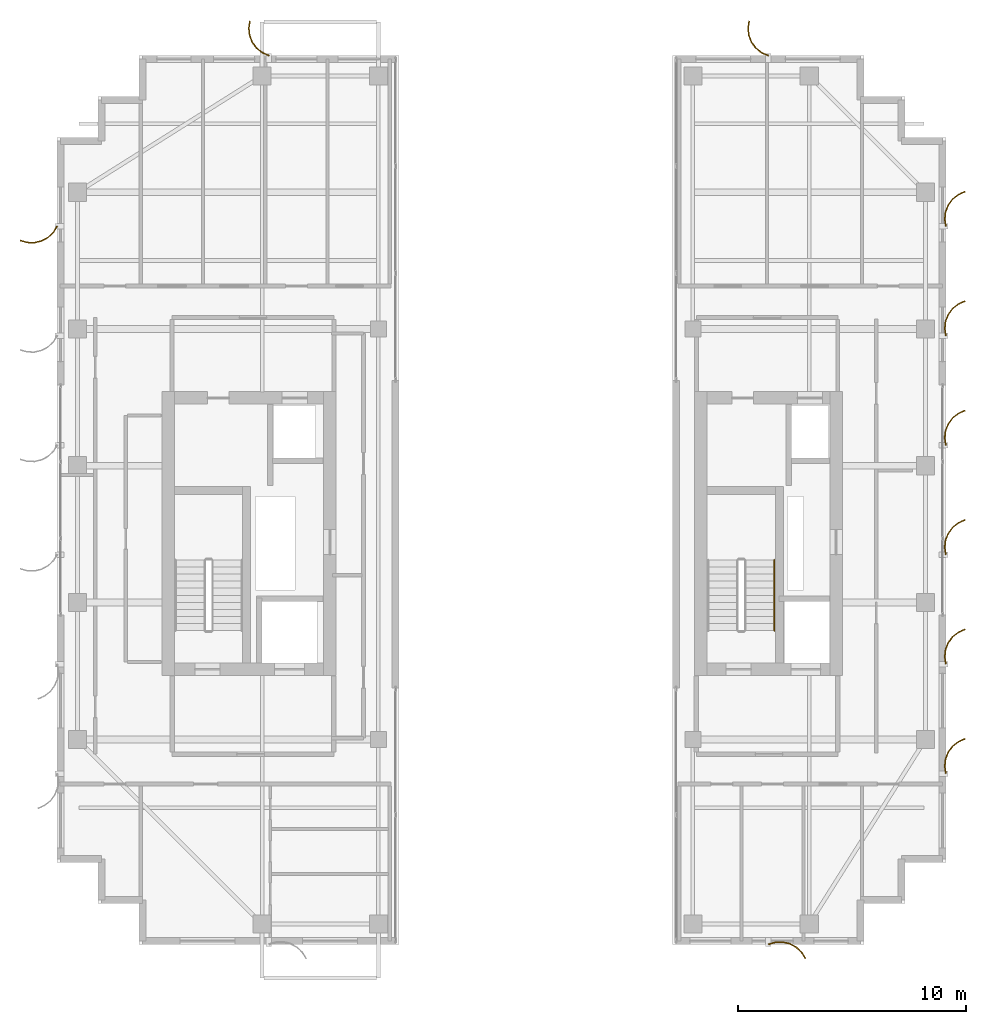
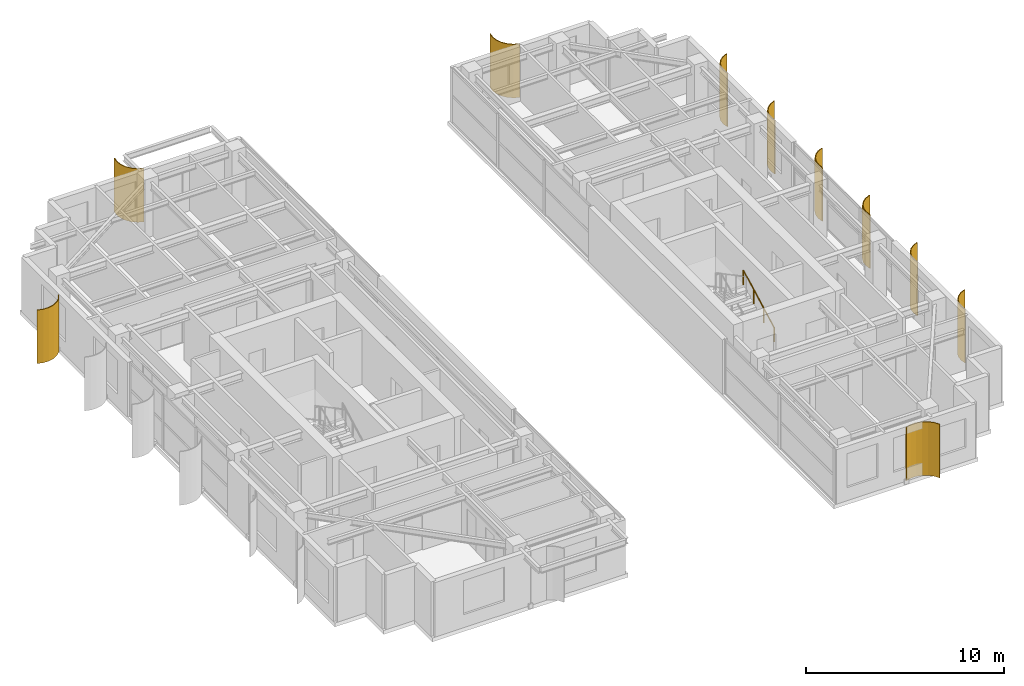
# One storey, part 22 of 22: 10 shading devices, 1 railing.
"""IFC4 building model written with IfcOpenShell, lengths in metres."""

from ifc_helpers import new_model, si_unit, direction, frame, origin, origin_2d, place, context, subcontext, project, spatial, polyline, circle, outline, extrude, source, transform, mapped, material, layer, layer_set, type_object, element, save


model = new_model("IFC4")

# Units and contexts
model_context = context("Model", 3, precision=1e-05, world=origin(), true_north=direction((0.0, 1.0)))
body_context = subcontext(model_context, "Body", "Model", "MODEL_VIEW")
ifc_project = project(units=[si_unit("LENGTHUNIT", "METRE"), si_unit("AREAUNIT", "SQUARE_METRE"), si_unit("VOLUMEUNIT", "CUBIC_METRE"), si_unit("PLANEANGLEUNIT", "RADIAN"), si_unit("MASSUNIT", "GRAM", prefix="KILO")], contexts=[model_context])

# Site, building, storey
site_placement = place(None, origin())
site = spatial("IfcSite", under=ifc_project, at=site_placement, CompositionType="ELEMENT")
building_placement = place(site_placement, origin())
building = spatial("IfcBuilding", under=site, at=building_placement, Name="Khoralis Quay Care Tower", CompositionType="ELEMENT")
storey_placement = place(building_placement, frame((0.0, 0.0, 242.10009765625)))
storey = spatial("IfcBuildingStorey", under=building, at=storey_placement, Name="L63", CompositionType="ELEMENT", Elevation=242.10009765625)

# Railing
ifc_material_1 = material(Name="Brushed stainless steel", Category="steel")
railing_type = type_object("IfcRailingType", Name="RL-HAND-900", PredefinedType="HANDRAIL", material=ifc_material_1)
railing_placement = place(storey_placement, frame((34.469970703125, 16.77001953125, 0.16357421875)))
element("IfcRailing", 1, at=railing_placement, inside=storey, type_object=railing_type, Name="L63 ST-T2 stair handrail 1", PredefinedType="HANDRAIL", context=body_context, shape_type="SweptSolid", body=[
    extrude(circle(Radius=0.02392578125, at=origin_2d()), frame((0.0, 0.0, 0.8759765625), z_axis=(0.0, 0.884376766648, 0.46677375099), x_axis=(-1.0, 0.0, 0.0)), (0.0, 0.0, 1.0), 3.50537109375),
    extrude(circle(Radius=0.02099609375, at=origin_2d()), origin(), (0.0, 0.0, 1.0), 0.851806640625),
    extrude(circle(Radius=0.02099609375, at=origin_2d()), frame((0.0, 1.033447265625, 0.54541015625)), (0.0, 0.0, 1.0), 0.851806640625),
    extrude(circle(Radius=0.02099609375, at=origin_2d()), frame((0.0, 2.066650390625, 1.0908203125)), (0.0, 0.0, 1.0), 0.851806640625),
    extrude(circle(Radius=0.02099609375, at=origin_2d()), frame((0.0, 3.10009765625, 1.63623046875)), (0.0, 0.0, 1.0), 0.851806640625),
])

# Shading devices
ifc_material_2 = material(Name="Brushed pale anodised aluminium", Category="aluminium")
ifc_layer = layer(ifc_material_2, 0.044921875)
ifc_layer_set = layer_set([ifc_layer], Name="Brushed pale anodised aluminium")
shading_device_type = type_object("IfcShadingDeviceType", Name="SHD-FIN-1250", PredefinedType="USERDEFINED", material=ifc_layer_set)
shared_shape_1 = source(origin(), body_context, "Body", "SweptSolid", [
    extrude(outline(polyline([(0.0, 0.0), (-0.0927734375, 0.31298828125), (-0.101318359375, 0.63916015625), (-0.025146484375, 0.956298828125), (0.130615234375, 1.2431640625), (0.355224609375, 1.479736328125), (0.633544921875, 1.650390625), (0.65185546875, 1.609130859375), (0.383544921875, 1.44482421875), (0.1669921875, 1.216796875), (0.01708984375, 0.940185546875), (-0.056396484375, 0.63427734375), (-0.04833984375, 0.31982421875), (0.041015625, 0.018310546875), (0.0, 0.0)])), origin(), (0.0, 0.0, 1.0), 3.2998046875),
])
shading_device_1_placement = place(storey_placement, frame((34.199951171875, 3.030029296875, 0.02001953125), z_axis=(0.0, 0.0, 1.0), x_axis=(0.0, -1.0, 0.0)))
element("IfcShadingDevice", 2, at=shading_device_1_placement, inside=storey, type_object=shading_device_type, Name="L63 Curved Solar Fin P2E0-01", ObjectType="FIN", PredefinedType="USERDEFINED", context=body_context, shape_type="MappedRepresentation", body=[
    mapped(shared_shape_1, transform((0.0, 0.0, 0.0), scale=1.0)),
])
shared_shape_2 = source(origin(), body_context, "Body", "SweptSolid", [
    extrude(outline(polyline([(0.0, 0.0), (0.130126953125, 0.29931640625), (0.333251953125, 0.5546875), (0.595458984375, 0.748779296875), (0.899169921875, 0.868408203125), (1.223388671875, 0.9052734375), (1.546142578125, 0.85693359375), (1.53369140625, 0.813720703125), (1.22265625, 0.8603515625), (0.91015625, 0.82470703125), (0.617431640625, 0.70947265625), (0.364501953125, 0.522216796875), (0.168701171875, 0.276123046875), (0.043212890625, -0.012451171875), (0.0, 0.0)])), origin(), (0.0, 0.0, 1.0), 3.2998046875),
])
for number, where, z_axis, x_axis, name in (
    (3, (12.300048828125, 41.969970703125, 0.02001953125), (0.0, 0.0, 1.0), (0.0, 1.0, 0.0), "L63 Curved Solar Fin P1E2-01"),
    (4, (34.199951171875, 41.969970703125, 0.02001953125), (0.0, 0.0, 1.0), (0.0, 1.0, 0.0), "L63 Curved Solar Fin P2E10-01"),
):
    element("IfcShadingDevice", number, at=place(storey_placement, frame(where, z_axis=z_axis, x_axis=x_axis)), inside=storey, type_object=shading_device_type, Name=name, ObjectType="FIN", PredefinedType="USERDEFINED", context=body_context, shape_type="MappedRepresentation", body=[
        mapped(shared_shape_2, transform((0.0, 0.0, 0.0), scale=1.0)),
    ])
shared_shape_3 = source(origin(), body_context, "Body", "SweptSolid", [
    extrude(outline(polyline([(0.0, 0.0), (0.17041015625, 0.2783203125), (0.4072265625, 0.5029296875), (0.694091796875, 0.658447265625), (1.01123046875, 0.734619140625), (1.33740234375, 0.72607421875), (1.650390625, 0.633544921875), (1.632080078125, 0.59228515625), (1.330322265625, 0.681640625), (1.015869140625, 0.68994140625), (0.710205078125, 0.616455078125), (0.43359375, 0.466552734375), (0.20556640625, 0.25), (0.041015625, -0.018310546875), (0.0, 0.0)])), origin(), (0.0, 0.0, 1.0), 3.2998046875),
])
shading_device_2_placement = place(storey_placement, frame((3.030029296875, 34.5, 0.02001953125), z_axis=(0.0, 0.0, 1.0), x_axis=(-1.0, 0.0, 0.0)))
element("IfcShadingDevice", 5, at=shading_device_2_placement, inside=storey, type_object=shading_device_type, Name="L63 Curved Solar Fin P1E7-01", ObjectType="FIN", PredefinedType="USERDEFINED", context=body_context, shape_type="MappedRepresentation", body=[
    mapped(shared_shape_3, transform((0.0, 0.0, 0.0), scale=1.0)),
])
shared_shape_4 = source(origin(), body_context, "Body", "SweptSolid", [
    extrude(outline(polyline([(0.0, 0.0), (-0.04833984375, 0.32275390625), (-0.01123046875, 0.64697265625), (0.1083984375, 0.950439453125), (0.302490234375, 1.212890625), (0.557861328125, 1.416015625), (0.85693359375, 1.546142578125), (0.869384765625, 1.5029296875), (0.5810546875, 1.37744140625), (0.334716796875, 1.181640625), (0.147705078125, 0.9287109375), (0.032470703125, 0.635986328125), (-0.003173828125, 0.323486328125), (0.043212890625, 0.012451171875), (0.0, 0.0)])), origin(), (0.0, 0.0, 1.0), 3.2998046875),
])
for number, where, z_axis, x_axis, name in (
    (6, (41.969970703125, 10.5, 0.02001953125), (0.0, 0.0, 1.0), (1.0, 0.0, 0.0), "L63 Curved Solar Fin P2E5-01"),
    (7, (41.969970703125, 15.300048828125, 0.02001953125), (0.0, 0.0, 1.0), (1.0, 0.0, 0.0), "L63 Curved Solar Fin P2E5-02"),
    (8, (41.969970703125, 20.10009765625, 0.02001953125), (0.0, 0.0, 1.0), (1.0, 0.0, 0.0), "L63 Curved Solar Fin P2E5-03"),
    (9, (41.969970703125, 24.89990234375, 0.02001953125), (0.0, 0.0, 1.0), (1.0, 0.0, 0.0), "L63 Curved Solar Fin P2E5-04"),
    (10, (41.969970703125, 29.699951171875, 0.02001953125), (0.0, 0.0, 1.0), (1.0, 0.0, 0.0), "L63 Curved Solar Fin P2E5-05"),
    (11, (41.969970703125, 34.5, 0.02001953125), (0.0, 0.0, 1.0), (1.0, 0.0, 0.0), "L63 Curved Solar Fin P2E5-06"),
):
    element("IfcShadingDevice", number, at=place(storey_placement, frame(where, z_axis=z_axis, x_axis=x_axis)), inside=storey, type_object=shading_device_type, Name=name, ObjectType="FIN", PredefinedType="USERDEFINED", context=body_context, shape_type="MappedRepresentation", body=[
        mapped(shared_shape_4, transform((0.0, 0.0, 0.0), scale=1.0)),
    ])

save(model, "model.ifc")
